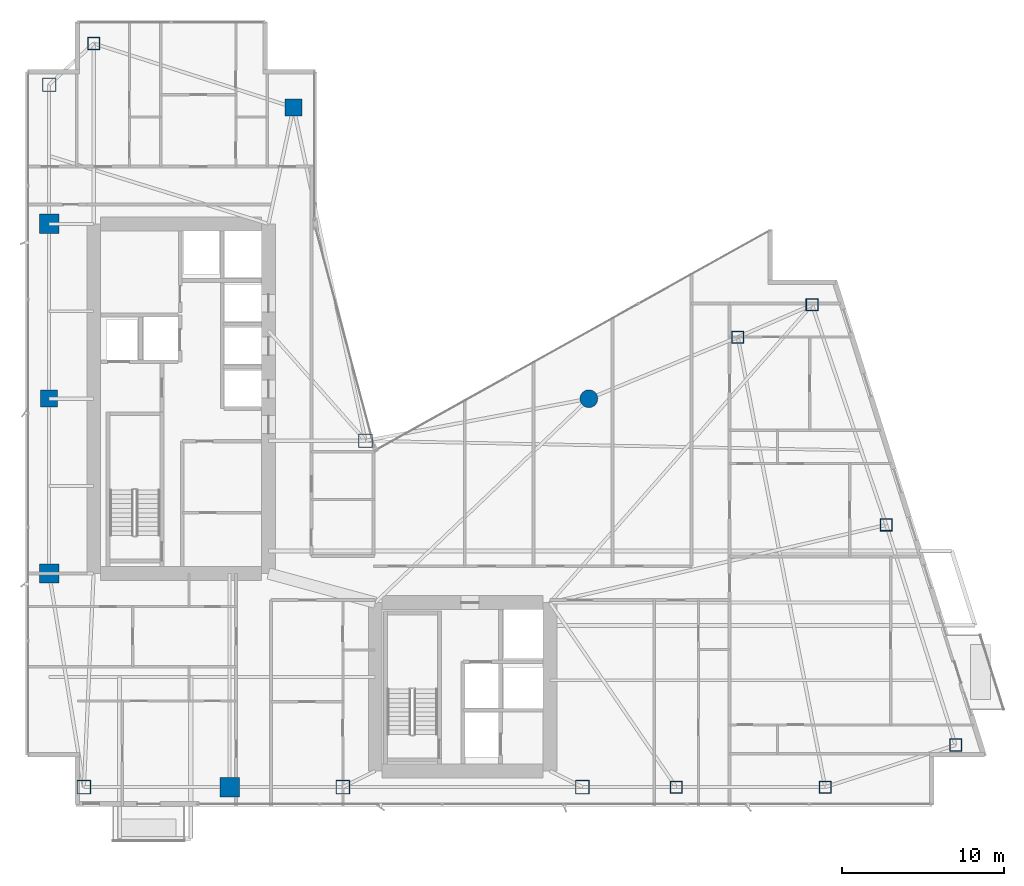
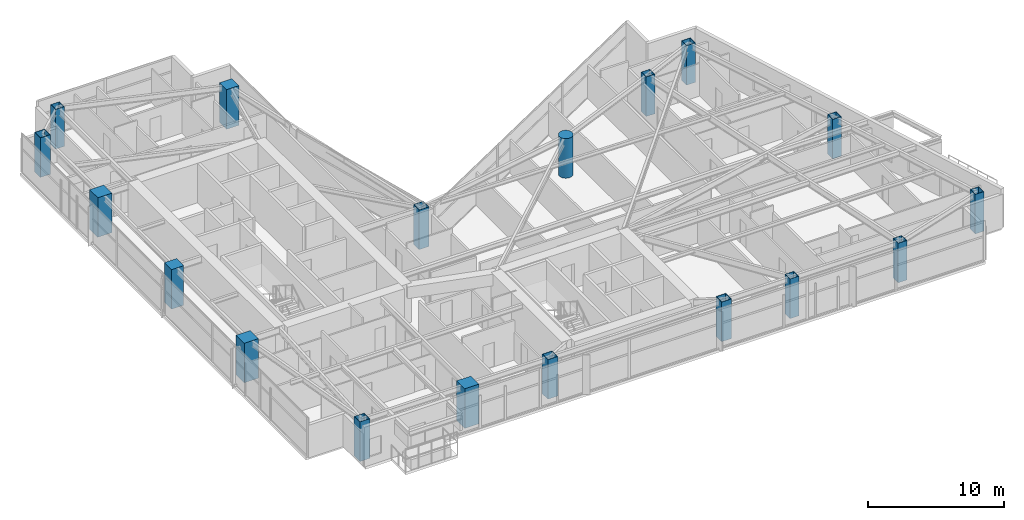
# One storey, part 1 of 29: 18 columns.
"""IFC4 building model written with IfcOpenShell, lengths in metres."""

from ifc_helpers import new_model, si_unit, direction, frame, origin, origin_2d, place, context, subcontext, project, spatial, rectangle, hollow_rectangle, circle, extrude, material, material_profile, profile_set, type_object, element, save


model = new_model("IFC4")

# Units and contexts
model_context = context("Model", 3, precision=1e-05, world=origin(), true_north=direction((0.0, 1.0)))
body_context = subcontext(model_context, "Body", "Model", "MODEL_VIEW")
ifc_project = project(units=[si_unit("LENGTHUNIT", "METRE"), si_unit("AREAUNIT", "SQUARE_METRE"), si_unit("VOLUMEUNIT", "CUBIC_METRE"), si_unit("PLANEANGLEUNIT", "RADIAN"), si_unit("MASSUNIT", "GRAM", prefix="KILO")], contexts=[model_context])

# Site, building, storey
site_placement = place(None, origin())
site = spatial("IfcSite", under=ifc_project, at=site_placement, CompositionType="ELEMENT")
building_placement = place(site_placement, origin())
building = spatial("IfcBuilding", under=site, at=building_placement, Name="Calvorn Quay Hotel", CompositionType="ELEMENT")
storey_placement = place(building_placement, frame((0.0, 0.0, 148.5)))
storey = spatial("IfcBuildingStorey", under=building, at=storey_placement, Name="L36", CompositionType="ELEMENT", Elevation=148.5)

# Columns
ifc_material_1 = material(Name="Concrete C50", Category="concrete")
ifc_material_profile_1 = material_profile(ifc_material_1, rectangle(XDim=1.050048828125, YDim=1.050048828125, at=origin_2d()), Name="RC1050x1050")
ifc_profile_set_1 = profile_set([ifc_material_profile_1], Name="Concrete C50")
column_type_1 = type_object("IfcColumnType", Name="COL-RC-1050", PredefinedType="COLUMN", material=ifc_profile_set_1)
for number, where, z_axis, x_axis, name in (
    (1, (1.449951171875, 27.60009765625, 0.0), (0.0, 0.0, 1.0), (1.0, 0.0, 0.0), "Column C-W3 (L36)"),
    (2, (16.550048828125, 45.60009765625, 0.0), (0.0, 0.0, 1.0), (1.0, 0.0, 0.0), "Column C-IC1 (L36)"),
):
    element("IfcColumn", number, at=place(storey_placement, frame(where, z_axis=z_axis, x_axis=x_axis)), inside=storey, type_object=column_type_1, Name=name, PredefinedType="COLUMN", context=body_context, shape_type="SweptSolid", body=[
        extrude(rectangle(XDim=1.050048828125, YDim=1.050048828125, at=origin_2d()), origin(), (0.0, 0.0, 1.0), 3.56005859375),
    ])
ifc_material_2 = material(Name="Concrete C50", Category="concrete")
ifc_material_profile_2 = material_profile(ifc_material_2, rectangle(XDim=1.199951171875, YDim=1.199951171875, at=origin_2d()), Name="RC1200x1200")
ifc_profile_set_2 = profile_set([ifc_material_profile_2], Name="Concrete C50")
column_type_2 = type_object("IfcColumnType", Name="COL-RC-1200", PredefinedType="COLUMN", material=ifc_profile_set_2)
for number, where, z_axis, x_axis, name in (
    (3, (1.449951171875, 16.800048828125, 0.0), (0.0, 0.0, 1.0), (1.0, 0.0, 0.0), "Column C-W2 (L36)"),
    (4, (1.449951171875, 38.39990234375, 0.0), (0.0, 0.0, 1.0), (1.0, 0.0, 0.0), "Column C-W4 (L36)"),
    (5, (12.60009765625, 3.60009765625, 0.0), (0.0, 0.0, 1.0), (1.0, 0.0, 0.0), "Column C-S1 (L36)"),
):
    element("IfcColumn", number, at=place(storey_placement, frame(where, z_axis=z_axis, x_axis=x_axis)), inside=storey, type_object=column_type_2, Name=name, PredefinedType="COLUMN", context=body_context, shape_type="SweptSolid", body=[
        extrude(rectangle(XDim=1.199951171875, YDim=1.199951171875, at=origin_2d()), origin(), (0.0, 0.0, 1.0), 3.56005859375),
    ])
ifc_material_3 = material(Name="Concrete C50", Category="concrete")
ifc_material_profile_3 = material_profile(ifc_material_3, circle(Radius=0.550048828125, at=origin_2d()), Name="RCD1100")
ifc_profile_set_3 = profile_set([ifc_material_profile_3], Name="Concrete C50")
column_type_3 = type_object("IfcColumnType", Name="COL-RC-D1100", PredefinedType="COLUMN", material=ifc_profile_set_3)
column_placement = place(storey_placement, frame((34.800048828125, 27.60009765625, 0.0), z_axis=(0.0, 0.0, 1.0), x_axis=(1.0, 0.0, 0.0)))
element("IfcColumn", 6, at=column_placement, inside=storey, type_object=column_type_3, Name="Column C-NC1 (L36)", PredefinedType="COLUMN", context=body_context, shape_type="SweptSolid", body=[
    extrude(circle(Radius=0.550048828125, at=origin_2d()), origin(), (0.0, 0.0, 1.0), 3.56005859375),
])
ifc_material_4 = material(Name="Steel Q390GJC", Category="steel")
ifc_material_profile_4 = material_profile(ifc_material_4, hollow_rectangle(XDim=0.85009765625, YDim=0.85009765625, WallThickness=0.035888671875, at=origin_2d()), Name="BOX850x850x36")
ifc_profile_set_4 = profile_set([ifc_material_profile_4], Name="Steel Q390GJC")
column_type_4 = type_object("IfcColumnType", Name="COL-STL-Z2", PredefinedType="COLUMN", material=ifc_profile_set_4)
for number, where, z_axis, x_axis, name in (
    (7, (3.60009765625, 3.60009765625, 0.0), (0.0, 0.0, 1.0), (1.0, 0.0, 0.0), "Column C-W1 (L36)"),
    (8, (1.449951171875, 47.0, 0.0), (0.0, 0.0, 1.0), (1.0, 0.0, 0.0), "Column C-W5 (L36)"),
    (9, (21.0, 25.0, 0.0), (0.0, 0.0, 1.0), (1.0, 0.0, 0.0), "Column C-IC2 (L36)"),
    (10, (19.60009765625, 3.60009765625, 0.0), (0.0, 0.0, 1.0), (1.0, 0.0, 0.0), "Column C-S2 (L36)"),
    (11, (34.39990234375, 3.60009765625, 0.0), (0.0, 0.0, 1.0), (1.0, 0.0, 0.0), "Column C-S3 (L36)"),
):
    element("IfcColumn", number, at=place(storey_placement, frame(where, z_axis=z_axis, x_axis=x_axis)), inside=storey, type_object=column_type_4, Name=name, PredefinedType="COLUMN", context=body_context, shape_type="SweptSolid", body=[
        extrude(hollow_rectangle(XDim=0.85009765625, YDim=0.85009765625, WallThickness=0.035888671875, at=origin_2d()), origin(), (0.0, 0.0, 1.0), 3.56005859375),
    ])
ifc_material_5 = material(Name="Steel Q390GJC", Category="steel")
ifc_material_profile_5 = material_profile(ifc_material_5, hollow_rectangle(XDim=0.75, YDim=0.75, WallThickness=0.031982421875, at=origin_2d()), Name="BOX750x750x32")
ifc_profile_set_5 = profile_set([ifc_material_profile_5], Name="Steel Q390GJC")
column_type_5 = type_object("IfcColumnType", Name="COL-STL-Z3", PredefinedType="COLUMN", material=ifc_profile_set_5)
for number, where, z_axis, x_axis, name in (
    (12, (4.199951171875, 49.550048828125, 0.0), (0.0, 0.0, 1.0), (1.0, 0.0, 0.0), "Column C-NW1 (L36)"),
    (13, (40.199951171875, 3.60009765625, 0.0), (0.0, 0.0, 1.0), (1.0, 0.0, 0.0), "Column C-S4 (L36)"),
    (14, (49.39990234375, 3.60009765625, 0.0), (0.0, 0.0, 1.0), (1.0, 0.0, 0.0), "Column C-S5 (L36)"),
    (15, (44.0, 31.39990234375, 0.0), (0.0, 0.0, 1.0), (1.0, 0.0, 0.0), "Column C-NC2 (L36)"),
    (16, (57.4609375, 6.199951171875, 0.0), (0.0, 0.0, 1.0), (1.0, 0.0, 0.0), "Column C-ET1 (L36)"),
    (17, (53.176025390625, 19.800048828125, 0.0), (0.0, 0.0, 1.0), (1.0, 0.0, 0.0), "Column C-ET2 (L36)"),
    (18, (48.591064453125, 33.39990234375, 0.0), (0.0, 0.0, 1.0), (1.0, 0.0, 0.0), "Column C-ET3 (L36)"),
):
    element("IfcColumn", number, at=place(storey_placement, frame(where, z_axis=z_axis, x_axis=x_axis)), inside=storey, type_object=column_type_5, Name=name, PredefinedType="COLUMN", context=body_context, shape_type="SweptSolid", body=[
        extrude(hollow_rectangle(XDim=0.75, YDim=0.75, WallThickness=0.031982421875, at=origin_2d()), origin(), (0.0, 0.0, 1.0), 3.56005859375),
    ])

save(model, "model.ifc")
